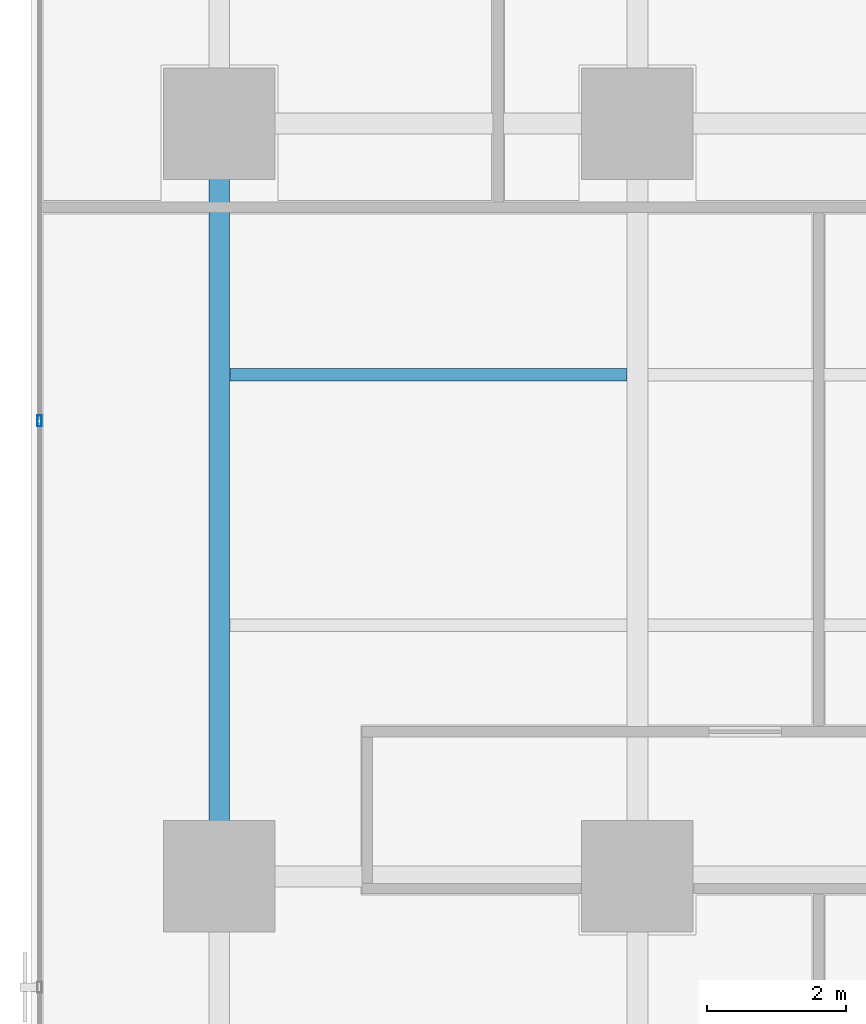
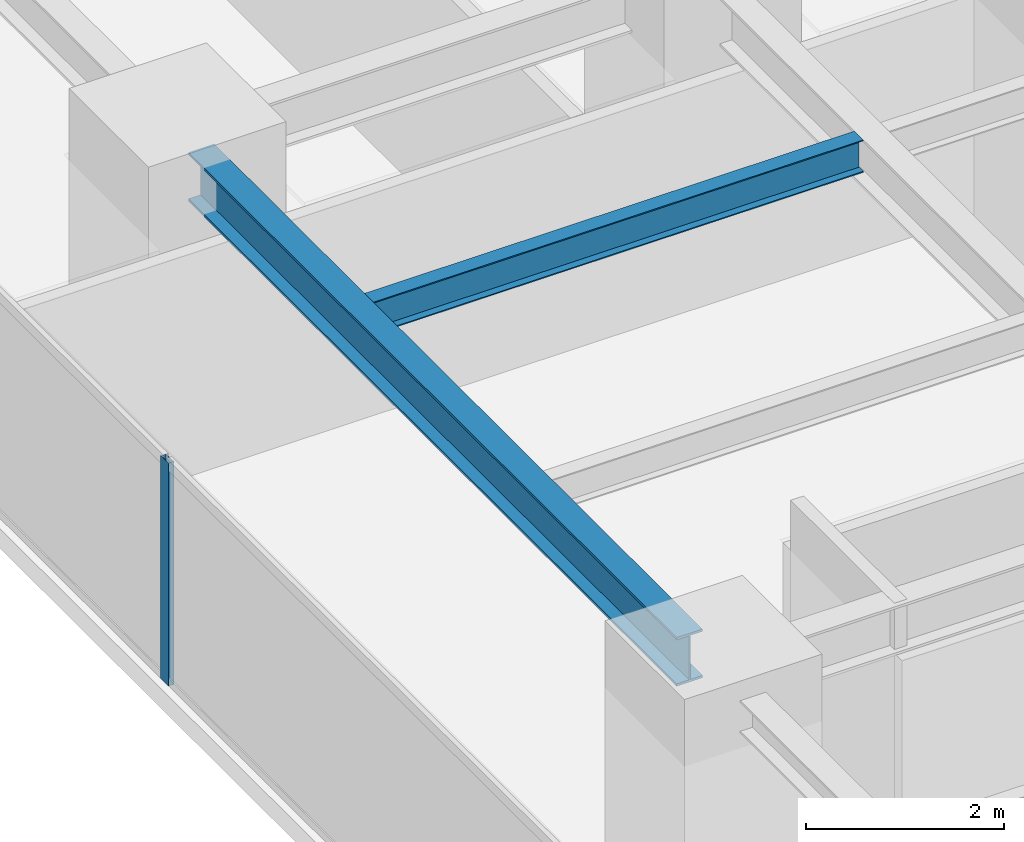
# One storey, part 8 of 37: 2 beams, 1 member, 1 element without a shape of its own.
"""IFC4 building model written with IfcOpenShell, lengths in metres."""

from ifc_helpers import new_model, si_unit, direction, frame, origin, origin_2d, place, context, subcontext, project, spatial, hollow_rectangle, i_section, extrude, source, transform, mapped, material, layer, layer_set, material_profile, profile_set, type_object, element, aggregate, save


model = new_model("IFC4")

# Units and contexts
model_context = context("Model", 3, precision=1e-05, world=origin(), true_north=direction((0.0, 1.0)))
body_context = subcontext(model_context, "Body", "Model", "MODEL_VIEW")
ifc_project = project(units=[si_unit("LENGTHUNIT", "METRE"), si_unit("AREAUNIT", "SQUARE_METRE"), si_unit("VOLUMEUNIT", "CUBIC_METRE"), si_unit("PLANEANGLEUNIT", "RADIAN"), si_unit("MASSUNIT", "GRAM", prefix="KILO")], contexts=[model_context])

# Site, building, storey
site_placement = place(None, origin())
site = spatial("IfcSite", under=ifc_project, at=site_placement, CompositionType="ELEMENT")
building_placement = place(site_placement, origin())
building = spatial("IfcBuilding", under=site, at=building_placement, Name="Sumidabori Civic Tower", CompositionType="ELEMENT")
storey_placement = place(building_placement, frame((0.0, 0.0, 95.60009765625)))
storey = spatial("IfcBuildingStorey", under=building, at=storey_placement, Name="L24", CompositionType="ELEMENT", Elevation=95.60009765625)

# Beams
ifc_material_1 = material(Name="Steel SN490", Category="steel")
ifc_material_profile_1 = material_profile(ifc_material_1, i_section(OverallWidth=0.300048828125, OverallDepth=0.60009765625, WebThickness=0.015380859375, FlangeThickness=0.030029296875, at=origin_2d()), Name="HE 600 B")
ifc_profile_set_1 = profile_set([ifc_material_profile_1], Name="Steel SN490")
beam_type_1 = type_object("IfcBeamType", Name="BM-GIRD-600", PredefinedType="BEAM", material=ifc_profile_set_1)
shared_shape_1 = source(origin(), body_context, "Body", "SweptSolid", [
    extrude(i_section(OverallWidth=0.300048828125, OverallDepth=0.60009765625, WebThickness=0.015380859375, FlangeThickness=0.030029296875, at=origin_2d()), origin(), (0.0, 0.0, 1.0), 9.840087890625),
])
beam_1_placement = place(storey_placement, frame((-22.800048828125, -10.320068359375, 3.059814453125), z_axis=(0.0, 1.0, 0.0), x_axis=(-1.0, 0.0, 0.0)))
element("IfcBeam", 1, at=beam_1_placement, inside=storey, type_object=beam_type_1, Name="Primary Girder L24 GY-22", PredefinedType="BEAM", context=body_context, shape_type="MappedRepresentation", body=[
    mapped(shared_shape_1, transform((0.0, 0.0, 0.0), x_axis=(1.0, 0.0, 0.0), y_axis=(0.0, 1.0, 0.0), z_axis=(0.0, 0.0, 1.0), scale=1.0)),
])
ifc_material_profile_2 = material_profile(ifc_material_1, i_section(OverallWidth=0.179931640625, OverallDepth=0.39990234375, WebThickness=0.008544921875, FlangeThickness=0.013427734375, at=origin_2d()), Name="IPE 400")
ifc_profile_set_2 = profile_set([ifc_material_profile_2], Name="Steel SN490")
beam_type_2 = type_object("IfcBeamType", Name="BM-JST-400", PredefinedType="JOIST", material=ifc_profile_set_2)
shared_shape_2 = source(origin(), body_context, "Body", "SweptSolid", [
    extrude(i_section(OverallWidth=0.179931640625, OverallDepth=0.39990234375, WebThickness=0.008544921875, FlangeThickness=0.013427734375, at=origin_2d()), origin(), (0.0, 0.0, 1.0), 5.699951171875),
])
beam_2_placement = place(storey_placement, frame((-22.64990234375, -3.60009765625, 3.159912109375), z_axis=(1.0, 0.0, 0.0), x_axis=(0.0, 1.0, 0.0)))
element("IfcBeam", 2, at=beam_2_placement, inside=storey, type_object=beam_type_2, Name="Outer Bay Floor Joist L24 JSTO-45", PredefinedType="JOIST", context=body_context, shape_type="MappedRepresentation", body=[
    mapped(shared_shape_2, transform((0.0, 0.0, 0.0), x_axis=(1.0, 0.0, 0.0), y_axis=(0.0, 1.0, 0.0), z_axis=(0.0, 0.0, 1.0), scale=1.0)),
])

# Curtain wall, member
ifc_material_2 = material(Name="Anodised Bronze Aluminium AW-6063-T6", Category="aluminium")
ifc_layer = layer(ifc_material_2, 0.179931640625, Name="Anodised Bronze Aluminium AW-6063-T6")
ifc_layer_set = layer_set([ifc_layer], Name="Anodised Bronze Aluminium AW-6063-T6")
curtain_wall_type = type_object("IfcCurtainWallType", Name="CW-SYS-3", PredefinedType="NOTDEFINED", material=ifc_layer_set)
curtain_wall_placement = place(storey_placement, origin())
curtain_wall = element("IfcCurtainWall", 3, at=curtain_wall_placement, inside=storey, type_object=curtain_wall_type, Name="Curtain Wall CW:L24:R10", PredefinedType="NOTDEFINED")
ifc_material_profile_3 = material_profile(ifc_material_2, hollow_rectangle(XDim=0.06494140625, YDim=0.159912109375, WallThickness=0.0048828125, at=origin_2d()), Name="ALU MULLION 160x65")
ifc_profile_set_3 = profile_set([ifc_material_profile_3], Name="Anodised Bronze Aluminium AW-6063-T6")
member_type = type_object("IfcMemberType", Name="CW-MUL-160", PredefinedType="MULLION", material=ifc_profile_set_3)
shared_shape_3 = source(origin(), body_context, "Body", "SweptSolid", [
    extrude(hollow_rectangle(XDim=0.06494140625, YDim=0.159912109375, WallThickness=0.0048828125, at=origin_2d()), origin(), (0.0, 0.0, 1.0), 2.739990234375),
])
member_placement = place(storey_placement, frame((-25.3798828125, -4.263916015625, 0.0), z_axis=(0.0, 0.0, 1.0), x_axis=(1.0, 0.0, 0.0)))
member = element("IfcMember", 4, at=member_placement, type_object=member_type, Name="CW-3 mullion 4", PredefinedType="MULLION", context=body_context, shape_type="MappedRepresentation", body=[
    mapped(shared_shape_3, transform((0.0, 0.0, 0.0), x_axis=(1.0, 0.0, 0.0), y_axis=(0.0, 1.0, 0.0), z_axis=(0.0, 0.0, 1.0), scale=1.0)),
])
aggregate(curtain_wall, [member])

save(model, "model.ifc")
